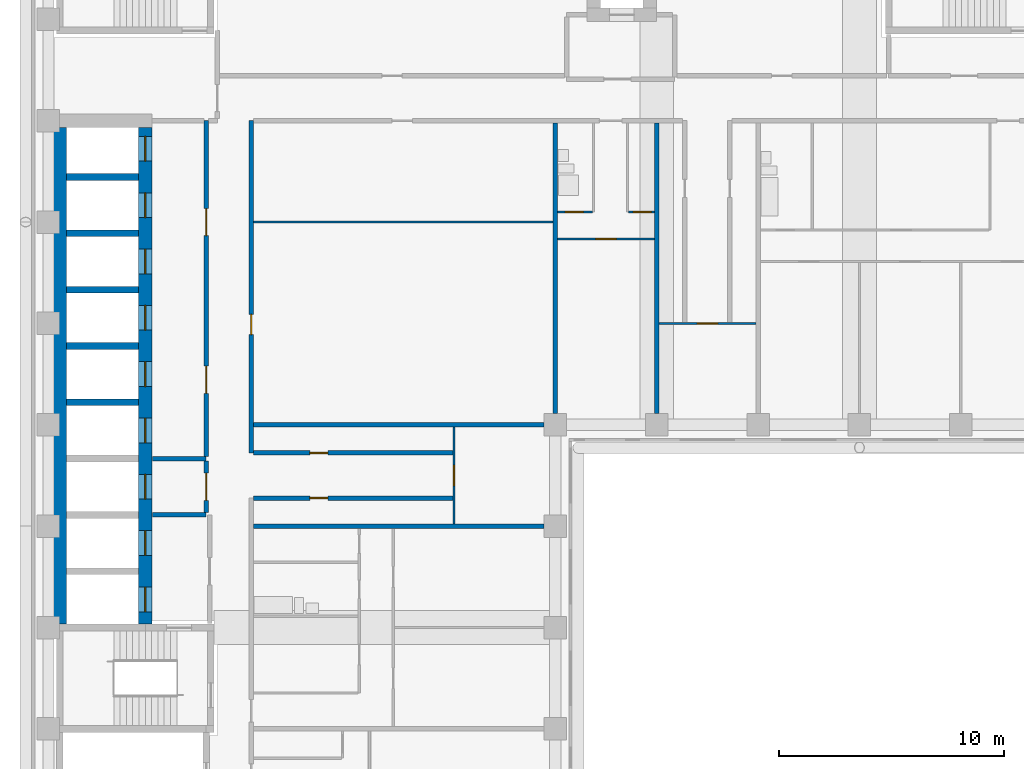
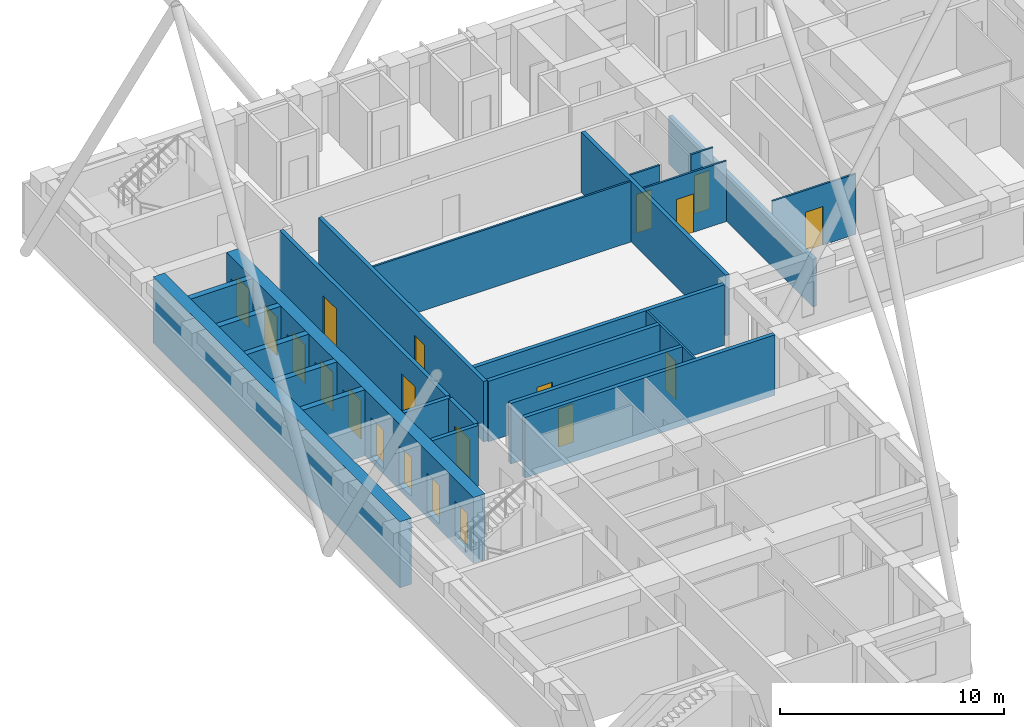
# One storey, part 5 of 13: 24 walls, 20 doors, 20 openings.
"""IFC4 building model written with IfcOpenShell, lengths in metres."""

import ifcopenshell
import ifcopenshell.guid

model = None  # the IFC model being written
_history = None  # IfcOwnerHistory: only IFC2X3 demands one
_inside = {}  # id of a spatial element -> (the spatial element, [elements in it])
_under = {}  # id of a project, library or spatial element -> (it, [spatial elements below it])
_declared = {}  # id of a project -> (the project, [libraries it declares])
_typed = {}  # id of a type object -> (the type object, [elements of that type])
_made_of = {}  # id of a material, layer set ... -> (it, [elements and type objects made of it])


def new_model(schema):
    """Start an empty IFC model of exactly this schema.

    Asked for "IFC4X3", IfcOpenShell would pick the latest addendum, in which some entities
    have other attributes; the version numbers below select the first issue.
    IFC2X3 requires an IfcOwnerHistory on every rooted entity: one is made here for all.
    """
    global model, _history
    if schema == "IFC4X3":
        model = ifcopenshell.file(schema_version=(4, 3, 0, 0))
    else:
        model = ifcopenshell.file(schema=schema)
    _inside.clear()
    _under.clear()
    _declared.clear()
    _typed.clear()
    _made_of.clear()
    _history = None
    if model.schema == "IFC2X3":
        org = make("IfcOrganization", Name="unknown")
        user = make(
            "IfcPersonAndOrganization",
            ThePerson=make("IfcPerson", FamilyName="unknown"),
            TheOrganization=org,
        )
        app = make(
            "IfcApplication",
            ApplicationDeveloper=org,
            Version="unknown",
            ApplicationFullName="unknown",
            ApplicationIdentifier="unknown",
        )
        _history = make(
            "IfcOwnerHistory",
            OwningUser=user,
            OwningApplication=app,
            ChangeAction="ADDED",
            CreationDate=0,
        )
    return model


def make(cls, **values):
    """One entity of the class cls with the attributes given. An attribute that is None is left unset."""
    return model.create_entity(
        cls, **{name: value for name, value in values.items() if value is not None}
    )


def rooted(cls, **values):
    """An entity with a GlobalId (a new one), such as an element, a storey or a relation."""
    return make(cls, GlobalId=ifcopenshell.guid.new(), OwnerHistory=_history, **values)


def si_unit(unit_type, name, prefix=None):
    """IfcSIUnit, for example si_unit("LENGTHUNIT", "METRE", prefix="MILLI")."""
    return make("IfcSIUnit", UnitType=unit_type, Prefix=prefix, Name=name)


def assignment(units):
    """IfcUnitAssignment: the units of a project."""
    return None if units is None else make("IfcUnitAssignment", Units=units)


def point(xyz):
    """IfcCartesianPoint."""
    return None if xyz is None else make("IfcCartesianPoint", Coordinates=xyz)


def direction(xyz):
    """IfcDirection."""
    return None if xyz is None else make("IfcDirection", DirectionRatios=xyz)


def frame(location, z_axis=None, x_axis=None):
    """IfcAxis2Placement3D, a coordinate frame: its origin and axes. An axis left out is left unset."""
    return make(
        "IfcAxis2Placement3D",
        Location=point(location),
        Axis=direction(z_axis),
        RefDirection=direction(x_axis),
    )


def frame_2d(location, x_axis=None):
    """IfcAxis2Placement2D, a coordinate frame in the plane: its origin and x axis."""
    return make(
        "IfcAxis2Placement2D", Location=point(location), RefDirection=direction(x_axis)
    )


def origin():
    """The frame at (0, 0, 0) with its axes left unset."""
    return frame((0.0, 0.0, 0.0))


def place(relative_to, where):
    """IfcLocalPlacement: puts the frame where relative to a parent placement (None: the world)."""
    return make(
        "IfcLocalPlacement", PlacementRelTo=relative_to, RelativePlacement=where
    )


def context(
    kind, dimensions, precision=None, world=None, true_north=None, identifier=None
):
    """IfcGeometricRepresentationContext, for example the 3D "Model" context."""
    return make(
        "IfcGeometricRepresentationContext",
        ContextIdentifier=identifier,
        ContextType=kind,
        CoordinateSpaceDimension=dimensions,
        Precision=precision,
        WorldCoordinateSystem=world,
        TrueNorth=true_north,
    )


def subcontext(parent, identifier, kind, view, scale=None):
    """IfcGeometricRepresentationSubContext, for example "Body" below "Model"."""
    return make(
        "IfcGeometricRepresentationSubContext",
        ContextIdentifier=identifier,
        ContextType=kind,
        ParentContext=parent,
        TargetScale=scale,
        TargetView=view,
    )


def project(units=None, contexts=None):
    """IfcProject with its units and contexts."""
    return rooted(
        "IfcProject",
        Name="project",
        RepresentationContexts=contexts,
        UnitsInContext=assignment(units),
    )


def spatial(cls, under=None, at=None, **own):
    """A site, building, storey or space (cls), placed at a placement, below another one or the project."""
    s = rooted(cls, ObjectPlacement=at, **own)
    if under is not None:
        _under.setdefault(under.id(), (under, []))[1].append(s)
    return s


def profile(cls, at=None, kind="AREA", **sizes):
    """A parametric profile (cls). Its sizes go by their IFC names, for example OverallWidth=200.0."""
    return make(cls, ProfileType=kind, Position=at, **sizes)


def rectangle(**sizes):
    """IfcRectangleProfileDef."""
    return profile("IfcRectangleProfileDef", **sizes)


def extrude(swept, where, along, depth):
    """IfcExtrudedAreaSolid: the profile swept, set in the frame where, extruded along a direction by depth."""
    return make(
        "IfcExtrudedAreaSolid",
        SweptArea=swept,
        Position=where,
        ExtrudedDirection=direction(along),
        Depth=depth,
    )


def shape(context_of_items, identifier, shape_type, items):
    """IfcShapeRepresentation: the items that make up one representation, for example the "Body"."""
    return make(
        "IfcShapeRepresentation",
        ContextOfItems=context_of_items,
        RepresentationIdentifier=identifier,
        RepresentationType=shape_type,
        Items=items,
    )


def material(Name=None, Category=None):
    """IfcMaterial."""
    return make("IfcMaterial", Name=Name, Category=Category)


def layer(
    of_material, thickness, ventilated=None, Name=None, Category=None, Priority=None
):
    """IfcMaterialLayer: one layer of a wall or slab, of a material (None: an air gap)."""
    return make(
        "IfcMaterialLayer",
        Material=of_material,
        LayerThickness=thickness,
        IsVentilated=ventilated,
        Name=Name,
        Category=Category,
        Priority=Priority,
    )


def layer_set(layers, Name=None):
    """IfcMaterialLayerSet."""
    return make("IfcMaterialLayerSet", MaterialLayers=layers, LayerSetName=Name)


def made_of(thing, what):
    """Note that an element or type object is made of a material, layer set ...; save() writes the relation."""
    if what is not None:
        _made_of.setdefault(what.id(), (what, []))[1].append(thing)
    return thing


def type_object(cls, material=None, **own):
    """A type object (cls), such as IfcWallType, which elements share."""
    return made_of(rooted(cls, **own), material)


def element(
    cls,
    number,
    at=None,
    inside=None,
    cuts=None,
    type_object=None,
    material=None,
    context=None,
    identifier="Body",
    shape_type=None,
    held_by="IfcProductDefinitionShape",
    body=None,
    shapes=None,
    **own,
):
    """One element of the class cls, such as IfcWall. Its Tag is "e" and its number.

    at: its placement. inside: the storey or other place that contains it. cuts: it is an
    opening in that element (IfcRelVoidsElement). A single representation is given by context,
    identifier, shape_type and body (its items); several are given by shapes. held_by: the class
    of the entity that holds the representations. save() writes the other relations.
    """
    e = rooted(cls, Tag="e%d" % number, ObjectPlacement=at, **own)
    if body is not None:
        shapes = [shape(context, identifier, shape_type, body)]
    if shapes is not None:
        e.Representation = make(held_by, Representations=shapes)
    if inside is not None:
        _inside.setdefault(inside.id(), (inside, []))[1].append(e)
    if cuts is not None:
        rooted(
            "IfcRelVoidsElement", RelatingBuildingElement=cuts, RelatedOpeningElement=e
        )
    if type_object is not None:
        _typed.setdefault(type_object.id(), (type_object, []))[1].append(e)
    return made_of(e, material)


def fill(opening, filler):
    """IfcRelFillsElement: the door or window that sits in an opening."""
    return rooted(
        "IfcRelFillsElement",
        RelatingOpeningElement=opening,
        RelatedBuildingElement=filler,
    )


def aggregate(whole, parts):
    """IfcRelAggregates: a whole, such as a stair, and the parts it consists of."""
    return rooted("IfcRelAggregates", RelatingObject=whole, RelatedObjects=parts)


def save(model, path):
    """Write the relations noted so far, then the file.

    IfcRelAggregates (storeys below a building ...), IfcRelContainedInSpatialStructure (elements
    in a storey), IfcRelDefinesByType, IfcRelAssociatesMaterial and IfcRelDeclares: one each for
    every whole, place, type object, material and project.
    """
    for whole, parts in _under.values():
        aggregate(whole, parts)
    for where, things in _inside.values():
        rooted(
            "IfcRelContainedInSpatialStructure",
            RelatedElements=things,
            RelatingStructure=where,
        )
    for kind, things in _typed.values():
        rooted("IfcRelDefinesByType", RelatedObjects=things, RelatingType=kind)
    for what, things in _made_of.values():
        rooted("IfcRelAssociatesMaterial", RelatedObjects=things, RelatingMaterial=what)
    for by, libraries in _declared.values():
        rooted("IfcRelDeclares", RelatingContext=by, RelatedDefinitions=libraries)
    model.write(path)


model = new_model("IFC4")

# Units and contexts
model_context = context("Model", 3, precision=1e-05, world=origin(), true_north=direction((0.0, 1.0)))
body_context = subcontext(model_context, "Body", "Model", "MODEL_VIEW")
ifc_project = project(units=[si_unit("LENGTHUNIT", "METRE"), si_unit("AREAUNIT", "SQUARE_METRE"), si_unit("VOLUMEUNIT", "CUBIC_METRE"), si_unit("PLANEANGLEUNIT", "RADIAN"), si_unit("MASSUNIT", "GRAM", prefix="KILO")], contexts=[model_context])

# Site, building, storey
site_placement = place(None, origin())
site = spatial("IfcSite", under=ifc_project, at=site_placement, CompositionType="ELEMENT")
building_placement = place(site_placement, origin())
building = spatial("IfcBuilding", under=site, at=building_placement, Name="Firuza Court", CompositionType="ELEMENT")
storey_placement = place(building_placement, frame((0.0, 0.0, 141.199951171875)))
storey = spatial("IfcBuildingStorey", under=building, at=storey_placement, Name="L35", CompositionType="ELEMENT", Elevation=141.199951171875)

# Walls
ifc_material_1 = material(Name="Concrete C60/75", Category="concrete")
ifc_layer_1 = layer(ifc_material_1, 0.300048828125)
ifc_layer_set_1 = layer_set([ifc_layer_1], Name="Concrete C60/75")
wall_type_1 = type_object("IfcWallType", Name="Core wall 300 C60/75", PredefinedType="SHEAR", material=ifc_layer_set_1)
for number, where, z_axis, x_axis, name in (
    (1, (0.800048828125, 37.0, -0.300048828125), (0.0, 0.0, 1.0), (1.0, 0.0, 0.0), "Core wall lift shaft L35"),
    (2, (0.800048828125, 39.5, -0.300048828125), (0.0, 0.0, 1.0), (1.0, 0.0, 0.0), "Core wall lift shaft L35"),
    (3, (0.800048828125, 42.0, -0.300048828125), (0.0, 0.0, 1.0), (1.0, 0.0, 0.0), "Core wall lift shaft L35"),
    (4, (0.800048828125, 44.5, -0.300048828125), (0.0, 0.0, 1.0), (1.0, 0.0, 0.0), "Core wall lift shaft L35"),
    (5, (0.800048828125, 47.0, -0.300048828125), (0.0, 0.0, 1.0), (1.0, 0.0, 0.0), "Core wall lift shaft L35"),
):
    element("IfcWall", number, at=place(storey_placement, frame(where, z_axis=z_axis, x_axis=x_axis)), inside=storey, type_object=wall_type_1, Name=name, PredefinedType="SHEAR", context=body_context, shape_type="SweptSolid", body=[
        extrude(rectangle(XDim=3.199951171875, YDim=0.300048828125, at=frame_2d((1.60009765625, 0.0))), origin(), (0.0, 0.0, 1.0), 3.60009765625),
    ])
ifc_layer_2 = layer(ifc_material_1, 0.60009765625)
ifc_layer_set_2 = layer_set([ifc_layer_2], Name="Concrete C60/75")
wall_type_2 = type_object("IfcWallType", Name="Core wall 600 C60/75", PredefinedType="SHEAR", material=ifc_layer_set_2)
wall_1_placement = place(storey_placement, frame((0.5, 27.14990234375, -0.300048828125), z_axis=(0.0, 0.0, 1.0), x_axis=(0.0, 1.0, 0.0)))
element("IfcWall", 6, at=wall_1_placement, inside=storey, type_object=wall_type_2, Name="Core wall lift shaft L35", PredefinedType="SHEAR", context=body_context, shape_type="SweptSolid", body=[
    extrude(rectangle(XDim=22.050048828125, YDim=0.60009765625, at=frame_2d((11.02490234375, 0.0))), origin(), (0.0, 0.0, 1.0), 3.60009765625),
])

# Wall, openings, doors
wall_2_placement = place(storey_placement, frame((4.300048828125, 27.14990234375, -0.300048828125), z_axis=(0.0, 0.0, 1.0), x_axis=(0.0, 1.0, 0.0)))
wall_2 = element("IfcWall", 7, at=wall_2_placement, inside=storey, type_object=wall_type_2, Name="Core wall lift shaft L35", PredefinedType="SHEAR", context=body_context, shape_type="SweptSolid", body=[
    extrude(rectangle(XDim=22.050048828125, YDim=0.60009765625, at=frame_2d((11.02490234375, 0.0))), origin(), (0.0, 0.0, 1.0), 3.60009765625),
])
opening_1_placement = place(wall_2_placement, frame((3.050048828125, 0.0, 0.300048828125)))
opening_1 = element("IfcOpeningElement", 8, at=opening_1_placement, cuts=wall_2, Name="Opening LD-FL1-35", PredefinedType="OPENING", context=body_context, shape_type="SweptSolid", body=[
    extrude(rectangle(XDim=1.10009765625, YDim=2.10009765625, at=frame_2d((0.550048828125, 1.050048828125))), frame((0.0, 0.31201171875, 0.0), z_axis=(0.0, -1.0, 0.0), x_axis=(1.0, 0.0, 0.0)), (0.0, 0.0, 1.0), 0.6240234375),
])
opening_2_placement = place(wall_2_placement, frame((0.550048828125, 0.0, 0.300048828125)))
opening_2 = element("IfcOpeningElement", 9, at=opening_2_placement, cuts=wall_2, Name="Opening LD-FL2-35", PredefinedType="OPENING", context=body_context, shape_type="SweptSolid", body=[
    extrude(rectangle(XDim=1.10009765625, YDim=2.10009765625, at=frame_2d((0.550048828125, 1.050048828125))), frame((0.0, 0.31201171875, 0.0), z_axis=(0.0, -1.0, 0.0), x_axis=(1.0, 0.0, 0.0)), (0.0, 0.0, 1.0), 0.6240234375),
])
opening_3_placement = place(wall_2_placement, frame((20.550048828125, 0.0, 0.300048828125)))
opening_3 = element("IfcOpeningElement", 10, at=opening_3_placement, cuts=wall_2, Name="Opening LD-HB1-35", PredefinedType="OPENING", context=body_context, shape_type="SweptSolid", body=[
    extrude(rectangle(XDim=1.10009765625, YDim=2.10009765625, at=frame_2d((0.550048828125, 1.050048828125))), frame((0.0, 0.31201171875, 0.0), z_axis=(0.0, -1.0, 0.0), x_axis=(1.0, 0.0, 0.0)), (0.0, 0.0, 1.0), 0.6240234375),
])
opening_4_placement = place(wall_2_placement, frame((18.050048828125, 0.0, 0.300048828125)))
opening_4 = element("IfcOpeningElement", 11, at=opening_4_placement, cuts=wall_2, Name="Opening LD-HB2-35", PredefinedType="OPENING", context=body_context, shape_type="SweptSolid", body=[
    extrude(rectangle(XDim=1.10009765625, YDim=2.10009765625, at=frame_2d((0.550048828125, 1.050048828125))), frame((0.0, 0.31201171875, 0.0), z_axis=(0.0, -1.0, 0.0), x_axis=(1.0, 0.0, 0.0)), (0.0, 0.0, 1.0), 0.6240234375),
])
opening_5_placement = place(wall_2_placement, frame((15.550048828125, 0.0, 0.300048828125)))
opening_5 = element("IfcOpeningElement", 12, at=opening_5_placement, cuts=wall_2, Name="Opening LD-HB3-35", PredefinedType="OPENING", context=body_context, shape_type="SweptSolid", body=[
    extrude(rectangle(XDim=1.10009765625, YDim=2.10009765625, at=frame_2d((0.550048828125, 1.050048828125))), frame((0.0, 0.31201171875, 0.0), z_axis=(0.0, -1.0, 0.0), x_axis=(1.0, 0.0, 0.0)), (0.0, 0.0, 1.0), 0.6240234375),
])
opening_6_placement = place(wall_2_placement, frame((13.050048828125, 0.0, 0.300048828125)))
opening_6 = element("IfcOpeningElement", 13, at=opening_6_placement, cuts=wall_2, Name="Opening LD-HB4-35", PredefinedType="OPENING", context=body_context, shape_type="SweptSolid", body=[
    extrude(rectangle(XDim=1.10009765625, YDim=2.10009765625, at=frame_2d((0.550048828125, 1.050048828125))), frame((0.0, 0.31201171875, 0.0), z_axis=(0.0, -1.0, 0.0), x_axis=(1.0, 0.0, 0.0)), (0.0, 0.0, 1.0), 0.6240234375),
])
opening_7_placement = place(wall_2_placement, frame((10.550048828125, 0.0, 0.300048828125)))
opening_7 = element("IfcOpeningElement", 14, at=opening_7_placement, cuts=wall_2, Name="Opening LD-HB5-35", PredefinedType="OPENING", context=body_context, shape_type="SweptSolid", body=[
    extrude(rectangle(XDim=1.10009765625, YDim=2.10009765625, at=frame_2d((0.550048828125, 1.050048828125))), frame((0.0, 0.31201171875, 0.0), z_axis=(0.0, -1.0, 0.0), x_axis=(1.0, 0.0, 0.0)), (0.0, 0.0, 1.0), 0.6240234375),
])
opening_8_placement = place(wall_2_placement, frame((8.050048828125, 0.0, 0.300048828125)))
opening_8 = element("IfcOpeningElement", 15, at=opening_8_placement, cuts=wall_2, Name="Opening LD-HB6-35", PredefinedType="OPENING", context=body_context, shape_type="SweptSolid", body=[
    extrude(rectangle(XDim=1.10009765625, YDim=2.10009765625, at=frame_2d((0.550048828125, 1.050048828125))), frame((0.0, 0.31201171875, 0.0), z_axis=(0.0, -1.0, 0.0), x_axis=(1.0, 0.0, 0.0)), (0.0, 0.0, 1.0), 0.6240234375),
])
opening_9_placement = place(wall_2_placement, frame((5.550048828125, 0.0, 0.300048828125)))
opening_9 = element("IfcOpeningElement", 16, at=opening_9_placement, cuts=wall_2, Name="Opening LD-SL1-35", PredefinedType="OPENING", context=body_context, shape_type="SweptSolid", body=[
    extrude(rectangle(XDim=1.10009765625, YDim=2.10009765625, at=frame_2d((0.550048828125, 1.050048828125))), frame((0.0, 0.31201171875, 0.0), z_axis=(0.0, -1.0, 0.0), x_axis=(1.0, 0.0, 0.0)), (0.0, 0.0, 1.0), 0.6240234375),
])
ifc_material_2 = material(Name="Stainless steel 1.4301 door leaf", Category="steel")
door_type_1 = type_object("IfcDoorType", Name="Lift landing door 1100", OperationType="SLIDING_TO_LEFT", PredefinedType="DOOR", material=ifc_material_2)
door_1_placement = place(opening_1_placement, origin())
door_1 = element("IfcDoor", 17, at=door_1_placement, inside=storey, type_object=door_type_1, Name="Landing door FL1", OperationType="SLIDING_TO_LEFT", OverallHeight=2.10009765625, OverallWidth=1.10009765625, PredefinedType="DOOR", context=body_context, shape_type="SweptSolid", body=[
    extrude(rectangle(XDim=1.10009765625, YDim=2.10009765625, at=frame_2d((0.550048828125, 1.050048828125))), frame((0.0, 0.02490234375, 0.0), z_axis=(0.0, -1.0, 0.0), x_axis=(1.0, 0.0, 0.0)), (0.0, 0.0, 1.0), 0.050048828125),
])
fill(opening_1, door_1)
door_2_placement = place(opening_2_placement, origin())
door_2 = element("IfcDoor", 18, at=door_2_placement, inside=storey, type_object=door_type_1, Name="Landing door FL2", OperationType="SLIDING_TO_LEFT", OverallHeight=2.10009765625, OverallWidth=1.10009765625, PredefinedType="DOOR", context=body_context, shape_type="SweptSolid", body=[
    extrude(rectangle(XDim=1.10009765625, YDim=2.10009765625, at=frame_2d((0.550048828125, 1.050048828125))), frame((0.0, 0.02490234375, 0.0), z_axis=(0.0, -1.0, 0.0), x_axis=(1.0, 0.0, 0.0)), (0.0, 0.0, 1.0), 0.050048828125),
])
fill(opening_2, door_2)
door_3_placement = place(opening_3_placement, origin())
door_3 = element("IfcDoor", 19, at=door_3_placement, inside=storey, type_object=door_type_1, Name="Landing door HB1", OperationType="SLIDING_TO_LEFT", OverallHeight=2.10009765625, OverallWidth=1.10009765625, PredefinedType="DOOR", context=body_context, shape_type="SweptSolid", body=[
    extrude(rectangle(XDim=1.10009765625, YDim=2.10009765625, at=frame_2d((0.550048828125, 1.050048828125))), frame((0.0, 0.02490234375, 0.0), z_axis=(0.0, -1.0, 0.0), x_axis=(1.0, 0.0, 0.0)), (0.0, 0.0, 1.0), 0.050048828125),
])
fill(opening_3, door_3)
door_4_placement = place(opening_4_placement, origin())
door_4 = element("IfcDoor", 20, at=door_4_placement, inside=storey, type_object=door_type_1, Name="Landing door HB2", OperationType="SLIDING_TO_LEFT", OverallHeight=2.10009765625, OverallWidth=1.10009765625, PredefinedType="DOOR", context=body_context, shape_type="SweptSolid", body=[
    extrude(rectangle(XDim=1.10009765625, YDim=2.10009765625, at=frame_2d((0.550048828125, 1.050048828125))), frame((0.0, 0.02490234375, 0.0), z_axis=(0.0, -1.0, 0.0), x_axis=(1.0, 0.0, 0.0)), (0.0, 0.0, 1.0), 0.050048828125),
])
fill(opening_4, door_4)
door_5_placement = place(opening_5_placement, origin())
door_5 = element("IfcDoor", 21, at=door_5_placement, inside=storey, type_object=door_type_1, Name="Landing door HB3", OperationType="SLIDING_TO_LEFT", OverallHeight=2.10009765625, OverallWidth=1.10009765625, PredefinedType="DOOR", context=body_context, shape_type="SweptSolid", body=[
    extrude(rectangle(XDim=1.10009765625, YDim=2.10009765625, at=frame_2d((0.550048828125, 1.050048828125))), frame((0.0, 0.02490234375, 0.0), z_axis=(0.0, -1.0, 0.0), x_axis=(1.0, 0.0, 0.0)), (0.0, 0.0, 1.0), 0.050048828125),
])
fill(opening_5, door_5)
door_6_placement = place(opening_6_placement, origin())
door_6 = element("IfcDoor", 22, at=door_6_placement, inside=storey, type_object=door_type_1, Name="Landing door HB4", OperationType="SLIDING_TO_LEFT", OverallHeight=2.10009765625, OverallWidth=1.10009765625, PredefinedType="DOOR", context=body_context, shape_type="SweptSolid", body=[
    extrude(rectangle(XDim=1.10009765625, YDim=2.10009765625, at=frame_2d((0.550048828125, 1.050048828125))), frame((0.0, 0.02490234375, 0.0), z_axis=(0.0, -1.0, 0.0), x_axis=(1.0, 0.0, 0.0)), (0.0, 0.0, 1.0), 0.050048828125),
])
fill(opening_6, door_6)
door_7_placement = place(opening_7_placement, origin())
door_7 = element("IfcDoor", 23, at=door_7_placement, inside=storey, type_object=door_type_1, Name="Landing door HB5", OperationType="SLIDING_TO_LEFT", OverallHeight=2.10009765625, OverallWidth=1.10009765625, PredefinedType="DOOR", context=body_context, shape_type="SweptSolid", body=[
    extrude(rectangle(XDim=1.10009765625, YDim=2.10009765625, at=frame_2d((0.550048828125, 1.050048828125))), frame((0.0, 0.02490234375, 0.0), z_axis=(0.0, -1.0, 0.0), x_axis=(1.0, 0.0, 0.0)), (0.0, 0.0, 1.0), 0.050048828125),
])
fill(opening_7, door_7)
door_8_placement = place(opening_8_placement, origin())
door_8 = element("IfcDoor", 24, at=door_8_placement, inside=storey, type_object=door_type_1, Name="Landing door HB6", OperationType="SLIDING_TO_LEFT", OverallHeight=2.10009765625, OverallWidth=1.10009765625, PredefinedType="DOOR", context=body_context, shape_type="SweptSolid", body=[
    extrude(rectangle(XDim=1.10009765625, YDim=2.10009765625, at=frame_2d((0.550048828125, 1.050048828125))), frame((0.0, 0.02490234375, 0.0), z_axis=(0.0, -1.0, 0.0), x_axis=(1.0, 0.0, 0.0)), (0.0, 0.0, 1.0), 0.050048828125),
])
fill(opening_8, door_8)
door_9_placement = place(opening_9_placement, origin())
door_9 = element("IfcDoor", 25, at=door_9_placement, inside=storey, type_object=door_type_1, Name="Landing door SL1", OperationType="SLIDING_TO_LEFT", OverallHeight=2.10009765625, OverallWidth=1.10009765625, PredefinedType="DOOR", context=body_context, shape_type="SweptSolid", body=[
    extrude(rectangle(XDim=1.10009765625, YDim=2.10009765625, at=frame_2d((0.550048828125, 1.050048828125))), frame((0.0, 0.02490234375, 0.0), z_axis=(0.0, -1.0, 0.0), x_axis=(1.0, 0.0, 0.0)), (0.0, 0.0, 1.0), 0.050048828125),
])
fill(opening_9, door_9)

# Wall, opening, door
ifc_material_3 = material(Name="Blockwork, plastered both sides", Category="masonry")
ifc_layer_3 = layer(ifc_material_3, 0.199951171875)
ifc_layer_set_3 = layer_set([ifc_layer_3], Name="Blockwork, plastered both sides")
wall_type_3 = type_object("IfcWallType", Name="Corridor wall 200", PredefinedType="PARTITIONING", material=ifc_layer_set_3)
wall_3_placement = place(storey_placement, frame((9.10009765625, 32.75, 0.0), z_axis=(0.0, 0.0, 1.0), x_axis=(1.0, 0.0, 0.0)))
wall_3 = element("IfcWall", 26, at=wall_3_placement, inside=storey, type_object=wall_type_3, Name="Corridor wall 200 L35", PredefinedType="PARTITIONING", context=body_context, shape_type="SweptSolid", body=[
    extrude(rectangle(XDim=8.849853515625, YDim=0.199951171875, at=frame_2d((4.4248046875, 0.0))), origin(), (0.0, 0.0, 1.0), 3.300048828125),
])
opening_10_placement = place(wall_3_placement, frame((2.5, 0.0, 0.0)))
opening_10 = element("IfcOpeningElement", 27, at=opening_10_placement, cuts=wall_3, Name="Opening D35036", PredefinedType="OPENING", context=body_context, shape_type="SweptSolid", body=[
    extrude(rectangle(XDim=0.800048828125, YDim=2.10009765625, at=frame_2d((0.39990234375, 1.050048828125))), frame((0.0, 0.11181640625, 0.0), z_axis=(0.0, -1.0, 0.0), x_axis=(1.0, 0.0, 0.0)), (0.0, 0.0, 1.0), 0.223876953125),
])
ifc_material_4 = material(Name="Timber door leaf in hardwood frame", Category="wood")
door_type_2 = type_object("IfcDoorType", Name="Room door 800 EI 30", OperationType="SINGLE_SWING_LEFT", PredefinedType="DOOR", material=ifc_material_4)
door_10_placement = place(opening_10_placement, frame((0.800048828125, 0.0, 0.0), z_axis=(0.0, 0.0, 1.0), x_axis=(-1.0, 0.0, 0.0)))
door_10 = element("IfcDoor", 28, at=door_10_placement, inside=storey, type_object=door_type_2, Name="Store door", OperationType="SINGLE_SWING_RIGHT", OverallHeight=2.10009765625, OverallWidth=0.800048828125, PredefinedType="DOOR", context=body_context, shape_type="SweptSolid", body=[
    extrude(rectangle(XDim=0.800048828125, YDim=2.10009765625, at=frame_2d((0.39990234375, 1.050048828125))), frame((0.0, 0.02490234375, 0.0), z_axis=(0.0, -1.0, 0.0), x_axis=(1.0, 0.0, 0.0)), (0.0, 0.0, 1.0), 0.050048828125),
])
fill(opening_10, door_10)

wall_4_placement = place(storey_placement, frame((9.0, 34.75, 0.0), z_axis=(0.0, 0.0, 1.0), x_axis=(0.0, 1.0, 0.0)))
wall_4 = element("IfcWall", 29, at=wall_4_placement, inside=storey, type_object=wall_type_3, Name="Corridor wall 200 L35", PredefinedType="PARTITIONING", context=body_context, shape_type="SweptSolid", body=[
    extrude(rectangle(XDim=14.75, YDim=0.199951171875, at=frame_2d((7.375, 0.0))), origin(), (0.0, 0.0, 1.0), 3.300048828125),
])
opening_11_placement = place(wall_4_placement, frame((5.25, 0.0, 0.0)))
opening_11 = element("IfcOpeningElement", 30, at=opening_11_placement, cuts=wall_4, Name="Opening D35037", PredefinedType="OPENING", context=body_context, shape_type="SweptSolid", body=[
    extrude(rectangle(XDim=0.89990234375, YDim=2.10009765625, at=frame_2d((0.449951171875, 1.050048828125))), frame((0.0, 0.11181640625, 0.0), z_axis=(0.0, -1.0, 0.0), x_axis=(1.0, 0.0, 0.0)), (0.0, 0.0, 1.0), 0.223876953125),
])
ifc_material_5 = material(Name="Timber door leaf in hardwood frame", Category="wood")
door_type_3 = type_object("IfcDoorType", Name="Room door 900 EI 30", OperationType="SINGLE_SWING_LEFT", PredefinedType="DOOR", material=ifc_material_5)
door_11_placement = place(opening_11_placement, origin())
door_11 = element("IfcDoor", 31, at=door_11_placement, inside=storey, type_object=door_type_3, Name="Yoga studio door", OperationType="SINGLE_SWING_LEFT", OverallHeight=2.10009765625, OverallWidth=0.89990234375, PredefinedType="DOOR", context=body_context, shape_type="SweptSolid", body=[
    extrude(rectangle(XDim=0.89990234375, YDim=2.10009765625, at=frame_2d((0.449951171875, 1.050048828125))), frame((0.0, 0.02490234375, 0.0), z_axis=(0.0, -1.0, 0.0), x_axis=(1.0, 0.0, 0.0)), (0.0, 0.0, 1.0), 0.050048828125),
])
fill(opening_11, door_11)

wall_5_placement = place(storey_placement, frame((9.10009765625, 34.75, 0.0), z_axis=(0.0, 0.0, 1.0), x_axis=(1.0, 0.0, 0.0)))
wall_5 = element("IfcWall", 32, at=wall_5_placement, inside=storey, type_object=wall_type_3, Name="Corridor wall 200 L35", PredefinedType="PARTITIONING", context=body_context, shape_type="SweptSolid", body=[
    extrude(rectangle(XDim=8.849853515625, YDim=0.199951171875, at=frame_2d((4.4248046875, 0.0))), origin(), (0.0, 0.0, 1.0), 3.300048828125),
])
opening_12_placement = place(wall_5_placement, frame((2.5, 0.0, 0.0)))
opening_12 = element("IfcOpeningElement", 33, at=opening_12_placement, cuts=wall_5, Name="Opening D35038", PredefinedType="OPENING", context=body_context, shape_type="SweptSolid", body=[
    extrude(rectangle(XDim=0.800048828125, YDim=2.10009765625, at=frame_2d((0.39990234375, 1.050048828125))), frame((0.0, 0.11181640625, 0.0), z_axis=(0.0, -1.0, 0.0), x_axis=(1.0, 0.0, 0.0)), (0.0, 0.0, 1.0), 0.223876953125),
])
door_12_placement = place(opening_12_placement, origin())
door_12 = element("IfcDoor", 34, at=door_12_placement, inside=storey, type_object=door_type_2, Name="Store door", OperationType="SINGLE_SWING_LEFT", OverallHeight=2.10009765625, OverallWidth=0.800048828125, PredefinedType="DOOR", context=body_context, shape_type="SweptSolid", body=[
    extrude(rectangle(XDim=0.800048828125, YDim=2.10009765625, at=frame_2d((0.39990234375, 1.050048828125))), frame((0.0, 0.02490234375, 0.0), z_axis=(0.0, -1.0, 0.0), x_axis=(1.0, 0.0, 0.0)), (0.0, 0.0, 1.0), 0.050048828125),
])
fill(opening_12, door_12)

ifc_material_6 = material(Name="Timber stud partition, plasterboard both sides", Category="wood")
ifc_layer_4 = layer(ifc_material_6, 0.10009765625)
ifc_layer_set_4 = layer_set([ifc_layer_4], Name="Timber stud partition, plasterboard both sides")
wall_type_4 = type_object("IfcWallType", Name="Partition wall 100", PredefinedType="PARTITIONING", material=ifc_layer_set_4)
wall_6_placement = place(storey_placement, frame((18.0, 31.60009765625, 0.0), z_axis=(0.0, 0.0, 1.0), x_axis=(0.0, 1.0, 0.0)))
wall_6 = element("IfcWall", 35, at=wall_6_placement, inside=storey, type_object=wall_type_4, Name="Partition wall 100 L35", PredefinedType="PARTITIONING", context=body_context, shape_type="SweptSolid", body=[
    extrude(rectangle(XDim=4.2998046875, YDim=0.10009765625, at=frame_2d((2.14990234375, 0.0))), origin(), (0.0, 0.0, 1.0), 3.300048828125),
])
opening_13_placement = place(wall_6_placement, frame((1.699951171875, 0.0, 0.0)))
opening_13 = element("IfcOpeningElement", 36, at=opening_13_placement, cuts=wall_6, Name="Opening D35035", PredefinedType="OPENING", context=body_context, shape_type="SweptSolid", body=[
    extrude(rectangle(XDim=0.89990234375, YDim=2.10009765625, at=frame_2d((0.449951171875, 1.050048828125))), frame((0.0, 0.06201171875, 0.0), z_axis=(0.0, -1.0, 0.0), x_axis=(1.0, 0.0, 0.0)), (0.0, 0.0, 1.0), 0.1240234375),
])
ifc_material_7 = material(Name="Timber door leaf in hardwood frame", Category="wood")
door_type_4 = type_object("IfcDoorType", Name="Room door 900", OperationType="SINGLE_SWING_LEFT", PredefinedType="DOOR", material=ifc_material_7)
door_13_placement = place(opening_13_placement, origin())
door_13 = element("IfcDoor", 37, at=door_13_placement, inside=storey, type_object=door_type_4, Name="Residents' lounge door", OperationType="SINGLE_SWING_LEFT", OverallHeight=2.10009765625, OverallWidth=0.89990234375, PredefinedType="DOOR", context=body_context, shape_type="SweptSolid", body=[
    extrude(rectangle(XDim=0.89990234375, YDim=2.10009765625, at=frame_2d((0.449951171875, 1.050048828125))), frame((0.0, 0.02490234375, 0.0), z_axis=(0.0, -1.0, 0.0), x_axis=(1.0, 0.0, 0.0)), (0.0, 0.0, 1.0), 0.050048828125),
])
fill(opening_13, door_13)

wall_7_placement = place(storey_placement, frame((27.10009765625, 40.5, 0.0), z_axis=(0.0, 0.0, 1.0), x_axis=(1.0, 0.0, 0.0)))
wall_7 = element("IfcWall", 38, at=wall_7_placement, inside=storey, type_object=wall_type_4, Name="Partition wall 100 L35", PredefinedType="PARTITIONING", context=body_context, shape_type="SweptSolid", body=[
    extrude(rectangle(XDim=4.2998046875, YDim=0.10009765625, at=frame_2d((2.14990234375, 0.0))), origin(), (0.0, 0.0, 1.0), 3.300048828125),
])
opening_14_placement = place(wall_7_placement, frame((1.699951171875, 0.0, 0.0)))
opening_14 = element("IfcOpeningElement", 39, at=opening_14_placement, cuts=wall_7, Name="Opening D35039", PredefinedType="OPENING", context=body_context, shape_type="SweptSolid", body=[
    extrude(rectangle(XDim=0.89990234375, YDim=2.10009765625, at=frame_2d((0.449951171875, 1.050048828125))), frame((0.0, 0.06201171875, 0.0), z_axis=(0.0, -1.0, 0.0), x_axis=(1.0, 0.0, 0.0)), (0.0, 0.0, 1.0), 0.1240234375),
])
door_14_placement = place(opening_14_placement, origin())
door_14 = element("IfcDoor", 40, at=door_14_placement, inside=storey, type_object=door_type_4, Name="Dining lounge door", OperationType="SINGLE_SWING_LEFT", OverallHeight=2.10009765625, OverallWidth=0.89990234375, PredefinedType="DOOR", context=body_context, shape_type="SweptSolid", body=[
    extrude(rectangle(XDim=0.89990234375, YDim=2.10009765625, at=frame_2d((0.449951171875, 1.050048828125))), frame((0.0, 0.02490234375, 0.0), z_axis=(0.0, -1.0, 0.0), x_axis=(1.0, 0.0, 0.0)), (0.0, 0.0, 1.0), 0.050048828125),
])
fill(opening_14, door_14)

wall_8_placement = place(storey_placement, frame((22.60009765625, 44.25, 0.0), z_axis=(0.0, 0.0, 1.0), x_axis=(1.0, 0.0, 0.0)))
wall_8 = element("IfcWall", 41, at=wall_8_placement, inside=storey, type_object=wall_type_4, Name="Partition wall 100 L35", PredefinedType="PARTITIONING", context=body_context, shape_type="SweptSolid", body=[
    extrude(rectangle(XDim=4.2998046875, YDim=0.10009765625, at=frame_2d((2.14990234375, 0.0))), origin(), (0.0, 0.0, 1.0), 3.300048828125),
])
opening_15_placement = place(wall_8_placement, frame((1.699951171875, 0.0, 0.0)))
opening_15 = element("IfcOpeningElement", 42, at=opening_15_placement, cuts=wall_8, Name="Opening D35052", PredefinedType="OPENING", context=body_context, shape_type="SweptSolid", body=[
    extrude(rectangle(XDim=0.89990234375, YDim=2.10009765625, at=frame_2d((0.449951171875, 1.050048828125))), frame((0.0, 0.06201171875, 0.0), z_axis=(0.0, -1.0, 0.0), x_axis=(1.0, 0.0, 0.0)), (0.0, 0.0, 1.0), 0.1240234375),
])
door_15_placement = place(opening_15_placement, frame((0.89990234375, 0.0, 0.0), z_axis=(0.0, 0.0, 1.0), x_axis=(-1.0, 0.0, 0.0)))
door_15 = element("IfcDoor", 43, at=door_15_placement, inside=storey, type_object=door_type_4, Name="Studio room door", OperationType="SINGLE_SWING_RIGHT", OverallHeight=2.10009765625, OverallWidth=0.89990234375, PredefinedType="DOOR", context=body_context, shape_type="SweptSolid", body=[
    extrude(rectangle(XDim=0.89990234375, YDim=2.10009765625, at=frame_2d((0.449951171875, 1.050048828125))), frame((0.0, 0.02490234375, 0.0), z_axis=(0.0, -1.0, 0.0), x_axis=(1.0, 0.0, 0.0)), (0.0, 0.0, 1.0), 0.050048828125),
])
fill(opening_15, door_15)

# Wall
wall_9_placement = place(storey_placement, frame((9.10009765625, 45.0, 0.0), z_axis=(0.0, 0.0, 1.0), x_axis=(1.0, 0.0, 0.0)))
element("IfcWall", 44, at=wall_9_placement, inside=storey, type_object=wall_type_4, Name="Partition wall 100 L35", PredefinedType="PARTITIONING", context=body_context, shape_type="SweptSolid", body=[
    extrude(rectangle(XDim=13.2998046875, YDim=0.10009765625, at=frame_2d((6.64990234375, 0.0))), origin(), (0.0, 0.0, 1.0), 3.300048828125),
])

# Wall, opening, door
wall_10_placement = place(storey_placement, frame((22.60009765625, 45.449951171875, 0.0), z_axis=(0.0, 0.0, 1.0), x_axis=(1.0, 0.0, 0.0)))
wall_10 = element("IfcWall", 45, at=wall_10_placement, inside=storey, type_object=wall_type_4, Name="Partition wall 100 L35", PredefinedType="PARTITIONING", context=body_context, shape_type="SweptSolid", body=[
    extrude(rectangle(XDim=1.5498046875, YDim=0.10009765625, at=frame_2d((0.77490234375, 0.0))), origin(), (0.0, 0.0, 1.0), 3.300048828125),
])
opening_16_placement = place(wall_10_placement, frame((0.35009765625, 0.0, 0.0)))
opening_16 = element("IfcOpeningElement", 46, at=opening_16_placement, cuts=wall_10, Name="Opening D35061", PredefinedType="OPENING", context=body_context, shape_type="SweptSolid", body=[
    extrude(rectangle(XDim=0.800048828125, YDim=2.10009765625, at=frame_2d((0.39990234375, 1.050048828125))), frame((0.0, 0.06201171875, 0.0), z_axis=(0.0, -1.0, 0.0), x_axis=(1.0, 0.0, 0.0)), (0.0, 0.0, 1.0), 0.1240234375),
])
ifc_material_8 = material(Name="Timber door leaf in hardwood frame", Category="wood")
door_type_5 = type_object("IfcDoorType", Name="Bathroom door 800", OperationType="SINGLE_SWING_LEFT", PredefinedType="DOOR", material=ifc_material_8)
door_16_placement = place(opening_16_placement, origin())
door_16 = element("IfcDoor", 47, at=door_16_placement, inside=storey, type_object=door_type_5, Name="Bathroom door", OperationType="SINGLE_SWING_LEFT", OverallHeight=2.10009765625, OverallWidth=0.800048828125, PredefinedType="DOOR", context=body_context, shape_type="SweptSolid", body=[
    extrude(rectangle(XDim=0.800048828125, YDim=2.10009765625, at=frame_2d((0.39990234375, 1.050048828125))), frame((0.0, 0.02490234375, 0.0), z_axis=(0.0, -1.0, 0.0), x_axis=(1.0, 0.0, 0.0)), (0.0, 0.0, 1.0), 0.050048828125),
])
fill(opening_16, door_16)

wall_11_placement = place(storey_placement, frame((25.75, 45.449951171875, 0.0), z_axis=(0.0, 0.0, 1.0), x_axis=(1.0, 0.0, 0.0)))
wall_11 = element("IfcWall", 48, at=wall_11_placement, inside=storey, type_object=wall_type_4, Name="Partition wall 100 L35", PredefinedType="PARTITIONING", context=body_context, shape_type="SweptSolid", body=[
    extrude(rectangle(XDim=1.14990234375, YDim=0.10009765625, at=frame_2d((0.574951171875, 0.0))), origin(), (0.0, 0.0, 1.0), 3.300048828125),
])
opening_17_placement = place(wall_11_placement, frame((0.199951171875, 0.0, 0.0)))
opening_17 = element("IfcOpeningElement", 49, at=opening_17_placement, cuts=wall_11, Name="Opening D35062", PredefinedType="OPENING", context=body_context, shape_type="SweptSolid", body=[
    extrude(rectangle(XDim=0.800048828125, YDim=2.10009765625, at=frame_2d((0.39990234375, 1.050048828125))), frame((0.0, 0.06201171875, 0.0), z_axis=(0.0, -1.0, 0.0), x_axis=(1.0, 0.0, 0.0)), (0.0, 0.0, 1.0), 0.1240234375),
])
ifc_material_9 = material(Name="Timber door leaf in hardwood frame", Category="wood")
door_type_6 = type_object("IfcDoorType", Name="Room door 800", OperationType="SINGLE_SWING_LEFT", PredefinedType="DOOR", material=ifc_material_9)
door_17_placement = place(opening_17_placement, origin())
door_17 = element("IfcDoor", 50, at=door_17_placement, inside=storey, type_object=door_type_6, Name="Kitchen door", OperationType="SINGLE_SWING_LEFT", OverallHeight=2.10009765625, OverallWidth=0.800048828125, PredefinedType="DOOR", context=body_context, shape_type="SweptSolid", body=[
    extrude(rectangle(XDim=0.800048828125, YDim=2.10009765625, at=frame_2d((0.39990234375, 1.050048828125))), frame((0.0, 0.02490234375, 0.0), z_axis=(0.0, -1.0, 0.0), x_axis=(1.0, 0.0, 0.0)), (0.0, 0.0, 1.0), 0.050048828125),
])
fill(opening_17, door_17)

# Walls
ifc_layer_5 = layer(ifc_material_3, 0.199951171875)
ifc_layer_set_5 = layer_set([ifc_layer_5], Name="Blockwork, plastered both sides")
wall_type_5 = type_object("IfcWallType", Name="Party wall 200", PredefinedType="PARTITIONING", material=ifc_layer_set_5)
for number, where, z_axis, x_axis, name in (
    (51, (9.10009765625, 31.5, 0.0), (0.0, 0.0, 1.0), (1.0, 0.0, 0.0), "Party wall 200 L35"),
    (52, (9.10009765625, 36.0, 0.0), (0.0, 0.0, 1.0), (1.0, 0.0, 0.0), "Party wall 200 L35"),
    (53, (22.5, 36.5, 0.0), (0.0, 0.0, 1.0), (0.0, 1.0, 0.0), "Party wall 200 L35"),
):
    element("IfcWall", number, at=place(storey_placement, frame(where, z_axis=z_axis, x_axis=x_axis)), inside=storey, type_object=wall_type_5, Name=name, PredefinedType="PARTITIONING", context=body_context, shape_type="SweptSolid", body=[
        extrude(rectangle(XDim=12.89990234375, YDim=0.199951171875, at=frame_2d((6.449951171875, 0.0))), origin(), (0.0, 0.0, 1.0), 3.300048828125),
    ])
wall_12_placement = place(storey_placement, frame((27.0, 36.5, 0.0), z_axis=(0.0, 0.0, 1.0), x_axis=(0.0, 1.0, 0.0)))
element("IfcWall", 54, at=wall_12_placement, inside=storey, type_object=wall_type_5, Name="Party wall 200 L35", PredefinedType="PARTITIONING", context=body_context, shape_type="SweptSolid", body=[
    extrude(rectangle(XDim=12.89990234375, YDim=0.199951171875, at=frame_2d((6.449951171875, 0.0))), origin(), (0.0, 0.0, 1.0), 2.60009765625),
])
ifc_material_10 = material(Name="Blockwork, fire-rated", Category="masonry")
ifc_layer_6 = layer(ifc_material_10, 0.199951171875)
ifc_layer_set_6 = layer_set([ifc_layer_6], Name="Blockwork, fire-rated")
wall_type_6 = type_object("IfcWallType", Name="Shaft wall 200", PredefinedType="PARTITIONING", material=ifc_layer_set_6)
wall_13_placement = place(storey_placement, frame((4.6201171875, 34.5, 0.0), z_axis=(0.0, 0.0, 1.0), x_axis=(1.0, 0.0, 0.0)))
element("IfcWall", 55, at=wall_13_placement, inside=storey, type_object=wall_type_6, Name="Shaft wall 200 L35", PredefinedType="PARTITIONING", context=body_context, shape_type="SweptSolid", body=[
    extrude(rectangle(XDim=2.3798828125, YDim=0.199951171875, at=frame_2d((1.18994140625, 0.0))), origin(), (0.0, 0.0, 1.0), 3.300048828125),
])

# Wall, openings, doors
wall_14_placement = place(storey_placement, frame((7.0, 34.60009765625, 0.0), z_axis=(0.0, 0.0, 1.0), x_axis=(0.0, 1.0, 0.0)))
wall_14 = element("IfcWall", 56, at=wall_14_placement, inside=storey, type_object=wall_type_6, Name="Shaft wall 200 L35", PredefinedType="PARTITIONING", context=body_context, shape_type="SweptSolid", body=[
    extrude(rectangle(XDim=14.89990234375, YDim=0.199951171875, at=frame_2d((7.449951171875, 0.0))), origin(), (0.0, 0.0, 1.0), 3.300048828125),
])
opening_18_placement = place(wall_14_placement, frame((2.800048828125, 0.0, 0.0)))
opening_18 = element("IfcOpeningElement", 57, at=opening_18_placement, cuts=wall_14, Name="Opening D35004", PredefinedType="OPENING", context=body_context, shape_type="SweptSolid", body=[
    extrude(rectangle(XDim=1.199951171875, YDim=2.10009765625, at=frame_2d((0.60009765625, 1.050048828125))), frame((0.0, 0.11181640625, 0.0), z_axis=(0.0, -1.0, 0.0), x_axis=(1.0, 0.0, 0.0)), (0.0, 0.0, 1.0), 0.223876953125),
])
opening_19_placement = place(wall_14_placement, frame((9.800048828125, 0.0, 0.0)))
opening_19 = element("IfcOpeningElement", 58, at=opening_19_placement, cuts=wall_14, Name="Opening D35005", PredefinedType="OPENING", context=body_context, shape_type="SweptSolid", body=[
    extrude(rectangle(XDim=1.199951171875, YDim=2.10009765625, at=frame_2d((0.60009765625, 1.050048828125))), frame((0.0, 0.11181640625, 0.0), z_axis=(0.0, -1.0, 0.0), x_axis=(1.0, 0.0, 0.0)), (0.0, 0.0, 1.0), 0.223876953125),
])
ifc_material_11 = material(Name="Timber door leaf in hardwood frame", Category="wood")
door_type_7 = type_object("IfcDoorType", Name="Lobby door 1200", OperationType="SINGLE_SWING_LEFT", PredefinedType="DOOR", material=ifc_material_11)
door_18_placement = place(opening_18_placement, origin())
door_18 = element("IfcDoor", 59, at=door_18_placement, inside=storey, type_object=door_type_7, Name="Lobby door", OperationType="SINGLE_SWING_LEFT", OverallHeight=2.10009765625, OverallWidth=1.199951171875, PredefinedType="DOOR", context=body_context, shape_type="SweptSolid", body=[
    extrude(rectangle(XDim=1.199951171875, YDim=2.10009765625, at=frame_2d((0.60009765625, 1.050048828125))), frame((0.0, 0.02490234375, 0.0), z_axis=(0.0, -1.0, 0.0), x_axis=(1.0, 0.0, 0.0)), (0.0, 0.0, 1.0), 0.050048828125),
])
fill(opening_18, door_18)
door_19_placement = place(opening_19_placement, origin())
door_19 = element("IfcDoor", 60, at=door_19_placement, inside=storey, type_object=door_type_7, Name="Lobby door", OperationType="SINGLE_SWING_RIGHT", OverallHeight=2.10009765625, OverallWidth=1.199951171875, PredefinedType="DOOR", context=body_context, shape_type="SweptSolid", body=[
    extrude(rectangle(XDim=1.199951171875, YDim=2.10009765625, at=frame_2d((0.60009765625, 1.050048828125))), frame((0.0, 0.02490234375, 0.0), z_axis=(0.0, -1.0, 0.0), x_axis=(1.0, 0.0, 0.0)), (0.0, 0.0, 1.0), 0.050048828125),
])
fill(opening_19, door_19)

# Wall
wall_15_placement = place(storey_placement, frame((4.6201171875, 32.0, 0.0), z_axis=(0.0, 0.0, 1.0), x_axis=(1.0, 0.0, 0.0)))
element("IfcWall", 61, at=wall_15_placement, inside=storey, type_object=wall_type_6, Name="Shaft wall 200 L35", PredefinedType="PARTITIONING", context=body_context, shape_type="SweptSolid", body=[
    extrude(rectangle(XDim=2.3798828125, YDim=0.199951171875, at=frame_2d((1.18994140625, 0.0))), origin(), (0.0, 0.0, 1.0), 3.300048828125),
])

# Wall, opening, door
wall_16_placement = place(storey_placement, frame((7.0, 32.10009765625, 0.0), z_axis=(0.0, 0.0, 1.0), x_axis=(0.0, 1.0, 0.0)))
wall_16 = element("IfcWall", 62, at=wall_16_placement, inside=storey, type_object=wall_type_6, Name="Shaft wall 200 L35", PredefinedType="PARTITIONING", context=body_context, shape_type="SweptSolid", body=[
    extrude(rectangle(XDim=2.2998046875, YDim=0.199951171875, at=frame_2d((1.14990234375, 0.0))), origin(), (0.0, 0.0, 1.0), 3.300048828125),
])
opening_20_placement = place(wall_16_placement, frame((0.550048828125, 0.0, 0.0)))
opening_20 = element("IfcOpeningElement", 63, at=opening_20_placement, cuts=wall_16, Name="Opening D35008", PredefinedType="OPENING", context=body_context, shape_type="SweptSolid", body=[
    extrude(rectangle(XDim=1.199951171875, YDim=2.10009765625, at=frame_2d((0.60009765625, 1.050048828125))), frame((0.0, 0.11181640625, 0.0), z_axis=(0.0, -1.0, 0.0), x_axis=(1.0, 0.0, 0.0)), (0.0, 0.0, 1.0), 0.223876953125),
])
door_20_placement = place(opening_20_placement, origin())
door_20 = element("IfcDoor", 64, at=door_20_placement, inside=storey, type_object=door_type_7, Name="Lobby door", OperationType="SINGLE_SWING_LEFT", OverallHeight=2.10009765625, OverallWidth=1.199951171875, PredefinedType="DOOR", context=body_context, shape_type="SweptSolid", body=[
    extrude(rectangle(XDim=1.199951171875, YDim=2.10009765625, at=frame_2d((0.60009765625, 1.050048828125))), frame((0.0, 0.02490234375, 0.0), z_axis=(0.0, -1.0, 0.0), x_axis=(1.0, 0.0, 0.0)), (0.0, 0.0, 1.0), 0.050048828125),
])
fill(opening_20, door_20)

save(model, "model.ifc")
